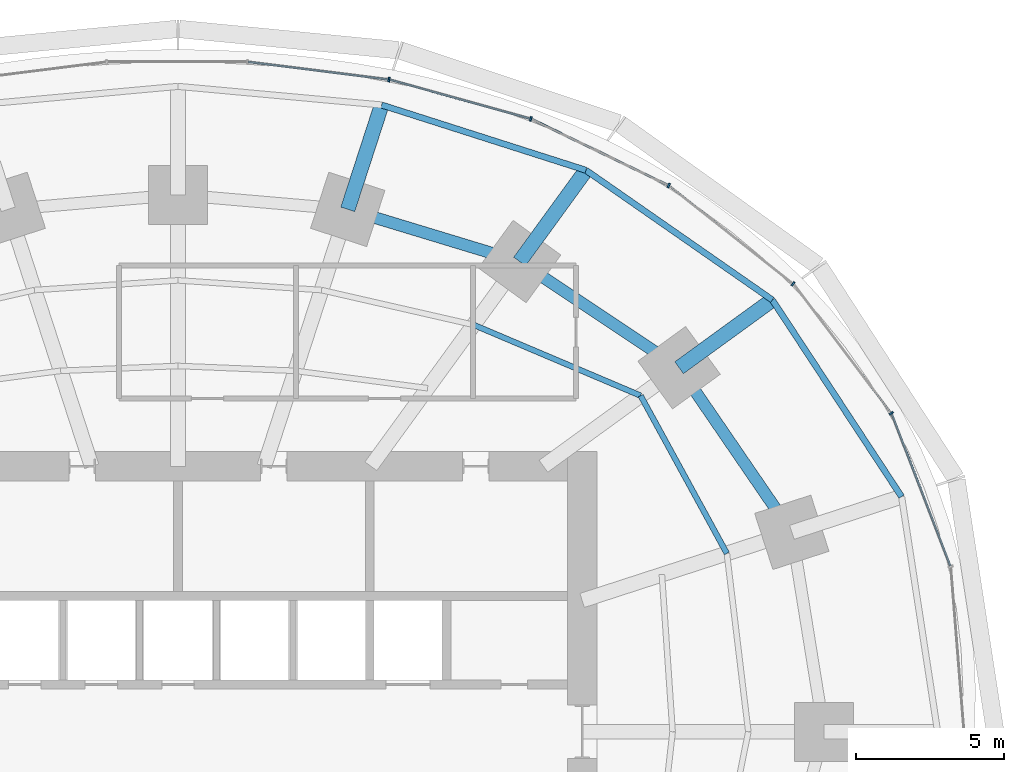
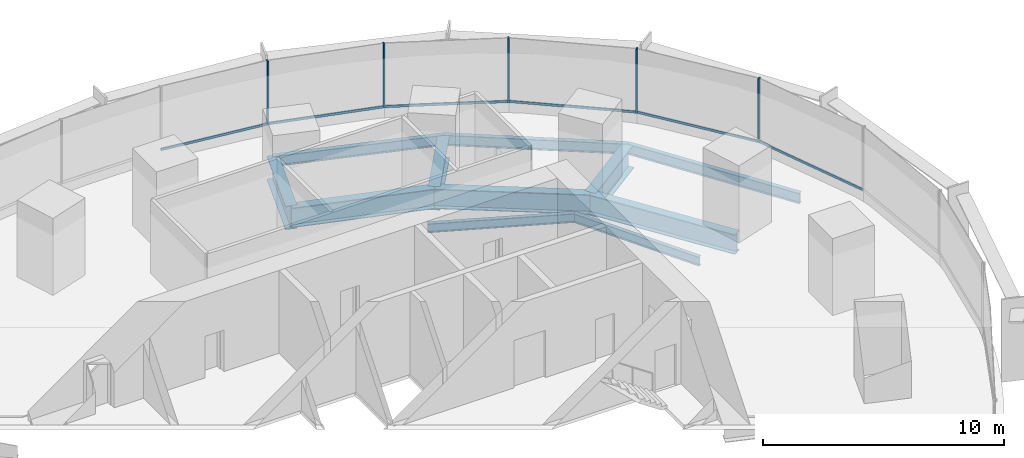
# One storey, part 9 of 15: 11 beams, 11 members, 2 elements without a shape of their own.
"""IFC4 building model written with IfcOpenShell, lengths in metres."""

from ifc_helpers import new_model, si_unit, direction, frame, origin, origin_2d, place, context, subcontext, project, spatial, rectangle, i_section, extrude, material, material_profile, profile_set, type_object, element, aggregate, save


model = new_model("IFC4")

# Units and contexts
model_context = context("Model", 3, precision=1e-05, world=origin(), true_north=direction((0.0, 1.0)))
body_context = subcontext(model_context, "Body", "Model", "MODEL_VIEW")
ifc_project = project(units=[si_unit("LENGTHUNIT", "METRE"), si_unit("AREAUNIT", "SQUARE_METRE"), si_unit("VOLUMEUNIT", "CUBIC_METRE"), si_unit("PLANEANGLEUNIT", "RADIAN"), si_unit("MASSUNIT", "GRAM", prefix="KILO")], contexts=[model_context])

# Site, building, storey
site_placement = place(None, origin())
site = spatial("IfcSite", under=ifc_project, at=site_placement, CompositionType="ELEMENT")
building_placement = place(site_placement, origin())
building = spatial("IfcBuilding", under=site, at=building_placement, Name="Marramba Exchange Tower", CompositionType="ELEMENT")
storey_placement = place(building_placement, frame((0.0, 0.0, 61.60009765625)))
storey = spatial("IfcBuildingStorey", under=building, at=storey_placement, Name="L14", CompositionType="ELEMENT", Elevation=61.60009765625)

# Beams
ifc_material_1 = material(Name="Steel AS/NZS 3679.2 grade 300", Category="steel")
ifc_material_profile_1 = material_profile(ifc_material_1, i_section(OverallWidth=0.5, OverallDepth=1.199951171875, WebThickness=0.01611328125, FlangeThickness=0.0400390625, at=origin_2d()), Name="1200WB455")
ifc_profile_set_1 = profile_set([ifc_material_profile_1], Name="Steel AS/NZS 3679.2 grade 300")
beam_type_1 = type_object("IfcBeamType", Name="Cantilever girder 1200WB455", PredefinedType="BEAM", material=ifc_profile_set_1)
beam_1_placement = place(storey_placement, frame((16.98583984375, 12.3408203125, -0.760009765625), z_axis=(0.808987260856, 0.587826174793, 0.0), x_axis=(-0.587826174793, 0.808987260856, 0.0)))
element("IfcBeam", 1, at=beam_1_placement, inside=storey, type_object=beam_type_1, Name="Cantilever girder L14 TC03", PredefinedType="BEAM", context=body_context, shape_type="SweptSolid", body=[
    extrude(i_section(OverallWidth=0.5, OverallDepth=1.199951171875, WebThickness=0.01611328125, FlangeThickness=0.0400390625, at=origin_2d()), origin(), (0.0, 0.0, 1.0), 3.90771484375),
])
beam_2_placement = place(storey_placement, frame((11.581298828125, 15.9404296875, -0.760009765625), z_axis=(0.587795827483, 0.809009310944, 0.0), x_axis=(-0.809009310944, 0.587795827483, 0.0)))
element("IfcBeam", 2, at=beam_2_placement, inside=storey, type_object=beam_type_1, Name="Cantilever girder L14 TC04", PredefinedType="BEAM", context=body_context, shape_type="SweptSolid", body=[
    extrude(i_section(OverallWidth=0.5, OverallDepth=1.199951171875, WebThickness=0.01611328125, FlangeThickness=0.0400390625, at=origin_2d()), origin(), (0.0, 0.0, 1.0), 3.82421875),
])
beam_3_placement = place(storey_placement, frame((5.75390625, 17.70849609375, -0.760009765625), z_axis=(0.308973290646, 0.951070715387, 0.0), x_axis=(-0.951070715387, 0.308973290646, 0.0)))
element("IfcBeam", 3, at=beam_3_placement, inside=storey, type_object=beam_type_1, Name="Cantilever girder L14 TC05", PredefinedType="BEAM", context=body_context, shape_type="SweptSolid", body=[
    extrude(i_section(OverallWidth=0.5, OverallDepth=1.199951171875, WebThickness=0.01611328125, FlangeThickness=0.0400390625, at=origin_2d()), origin(), (0.0, 0.0, 1.0), 3.72021484375),
])
ifc_material_2 = material(Name="Steel AS/NZS 3679.1 grade 300", Category="steel")
ifc_material_profile_2 = material_profile(ifc_material_2, i_section(OverallWidth=0.18994140625, OverallDepth=0.4541015625, WebThickness=0.008544921875, FlangeThickness=0.0126953125, FilletRadius=0.011474609375, at=origin_2d()), Name="460UB67.1")
ifc_profile_set_2 = profile_set([ifc_material_profile_2], Name="Steel AS/NZS 3679.1 grade 300")
beam_type_2 = type_object("IfcBeamType", Name="Floor joist 460UB67.1", PredefinedType="JOIST", material=ifc_profile_set_2)
beam_4_placement = place(storey_placement, frame((18.60546875, 6.04541015625, -0.38720703125), z_axis=(-0.479584443791, 0.877495732909, 0.0), x_axis=(-0.877495732909, -0.479584443791, 0.0)))
element("IfcBeam", 4, at=beam_4_placement, inside=storey, type_object=beam_type_2, Name="Joist L14 bay 02 row 2", PredefinedType="JOIST", context=body_context, shape_type="SweptSolid", body=[
    extrude(i_section(OverallWidth=0.18994140625, OverallDepth=0.4541015625, WebThickness=0.008544921875, FlangeThickness=0.0126953125, FilletRadius=0.011474609375, at=origin_2d()), origin(), (0.0, 0.0, 1.0), 6.094970703125),
])
beam_5_placement = place(storey_placement, frame((15.682373046875, 11.393798828125, -0.38720703125), z_axis=(-0.920674336375, 0.390331610738, 0.0), x_axis=(-0.390331610738, -0.920674336375, 0.0)))
element("IfcBeam", 5, at=beam_5_placement, inside=storey, type_object=beam_type_2, Name="Joist L14 bay 03 row 2", PredefinedType="JOIST", context=body_context, shape_type="SweptSolid", body=[
    extrude(i_section(OverallWidth=0.18994140625, OverallDepth=0.4541015625, WebThickness=0.008544921875, FlangeThickness=0.0126953125, FilletRadius=0.011474609375, at=origin_2d()), origin(), (0.0, 0.0, 1.0), 6.1484375),
])
ifc_material_profile_3 = material_profile(ifc_material_1, i_section(OverallWidth=0.39990234375, OverallDepth=1.0, WebThickness=0.01611328125, FlangeThickness=0.031982421875, at=origin_2d()), Name="1000WB322")
ifc_profile_set_3 = profile_set([ifc_material_profile_3], Name="Steel AS/NZS 3679.2 grade 300")
beam_type_3 = type_object("IfcBeamType", Name="Ring beam 1000WB322", PredefinedType="SPANDREL", material=ifc_profile_set_3)
beam_6_placement = place(storey_placement, frame((20.808349609375, 6.760986328125, -0.66015625), z_axis=(-0.56516002054, 0.824981303535, 0.0), x_axis=(-0.824981303535, -0.56516002054, 0.0)))
element("IfcBeam", 6, at=beam_6_placement, inside=storey, type_object=beam_type_3, Name="Ring beam L14 TC02-TC03", PredefinedType="SPANDREL", context=body_context, shape_type="SweptSolid", body=[
    extrude(i_section(OverallWidth=0.39990234375, OverallDepth=1.0, WebThickness=0.01611328125, FlangeThickness=0.031982421875, at=origin_2d()), origin(), (0.0, 0.0, 1.0), 6.763671875),
])
beam_7_placement = place(storey_placement, frame((16.98583984375, 12.3408203125, -0.66015625), z_axis=(-0.832293151443, 0.554335737673, 0.0), x_axis=(-0.554335737673, -0.832293151443, 0.0)))
element("IfcBeam", 7, at=beam_7_placement, inside=storey, type_object=beam_type_3, Name="Ring beam L14 TC03-TC04", PredefinedType="SPANDREL", context=body_context, shape_type="SweptSolid", body=[
    extrude(i_section(OverallWidth=0.39990234375, OverallDepth=1.0, WebThickness=0.01611328125, FlangeThickness=0.031982421875, at=origin_2d()), origin(), (0.0, 0.0, 1.0), 6.49365234375),
])
beam_8_placement = place(storey_placement, frame((11.581298828125, 15.9404296875, -0.66015625), z_axis=(-0.956924542524, 0.290336735387, 0.0), x_axis=(-0.290336735387, -0.956924542524, 0.0)))
element("IfcBeam", 8, at=beam_8_placement, inside=storey, type_object=beam_type_3, Name="Ring beam L14 TC04-TC05", PredefinedType="SPANDREL", context=body_context, shape_type="SweptSolid", body=[
    extrude(i_section(OverallWidth=0.39990234375, OverallDepth=1.0, WebThickness=0.01611328125, FlangeThickness=0.031982421875, at=origin_2d()), origin(), (0.0, 0.0, 1.0), 6.089599609375),
])
ifc_material_profile_4 = material_profile(ifc_material_2, i_section(OverallWidth=0.208984375, OverallDepth=0.528076171875, WebThickness=0.009521484375, FlangeThickness=0.01318359375, FilletRadius=0.013916015625, at=origin_2d()), Name="530UB82.0")
ifc_profile_set_4 = profile_set([ifc_material_profile_4], Name="Steel AS/NZS 3679.1 grade 300")
beam_type_4 = type_object("IfcBeamType", Name="Slab edge beam 530UB82.0", PredefinedType="SPANDREL", material=ifc_profile_set_4)
beam_9_placement = place(storey_placement, frame((24.528564453125, 7.9697265625, -0.424072265625), z_axis=(-0.549123544095, 0.835741188001, 0.0), x_axis=(-0.835741188001, -0.549123544095, 0.0)))
element("IfcBeam", 9, at=beam_9_placement, inside=storey, type_object=beam_type_4, Name="Slab edge beam L14 TC02-TC03", PredefinedType="SPANDREL", context=body_context, shape_type="SweptSolid", body=[
    extrude(i_section(OverallWidth=0.208984375, OverallDepth=0.528076171875, WebThickness=0.009521484375, FlangeThickness=0.01318359375, FilletRadius=0.013916015625, at=origin_2d()), origin(), (0.0, 0.0, 1.0), 7.978759765625),
])
beam_10_placement = place(storey_placement, frame((20.147216796875, 14.637939453125, -0.424072265625), z_axis=(-0.820842487183, 0.571154629882, 0.0), x_axis=(-0.571154629882, -0.820842487183, 0.0)))
element("IfcBeam", 10, at=beam_10_placement, inside=storey, type_object=beam_type_4, Name="Slab edge beam L14 TC03-TC04", PredefinedType="SPANDREL", context=body_context, shape_type="SweptSolid", body=[
    extrude(i_section(OverallWidth=0.208984375, OverallDepth=0.528076171875, WebThickness=0.009521484375, FlangeThickness=0.01318359375, FilletRadius=0.013916015625, at=origin_2d()), origin(), (0.0, 0.0, 1.0), 7.697021484375),
])
beam_11_placement = place(storey_placement, frame((13.8291015625, 19.0341796875, -0.424072265625), z_axis=(-0.952577642997, 0.304295635957, 0.0), x_axis=(-0.304295635957, -0.952577642997, 0.0)))
element("IfcBeam", 11, at=beam_11_placement, inside=storey, type_object=beam_type_4, Name="Slab edge beam L14 TC04-TC05", PredefinedType="SPANDREL", context=body_context, shape_type="SweptSolid", body=[
    extrude(i_section(OverallWidth=0.208984375, OverallDepth=0.528076171875, WebThickness=0.009521484375, FlangeThickness=0.01318359375, FilletRadius=0.013916015625, at=origin_2d()), origin(), (0.0, 0.0, 1.0), 7.2705078125),
])

# Curtain wall, members
ifc_material_3 = material(Name="Aluminium framing, bronze anodised", Category="aluminium")
curtain_wall_type = type_object("IfcCurtainWallType", Name="Trading floor ribbon curtain wall", PredefinedType="USERDEFINED", material=ifc_material_3)
curtain_wall_1_placement = place(storey_placement, origin())
curtain_wall_1 = element("IfcCurtainWall", 12, at=curtain_wall_1_placement, inside=storey, type_object=curtain_wall_type, Name="Curtain wall CW3 L14 F01-F05", ObjectType="RIBBON CURTAIN WALL", PredefinedType="USERDEFINED")
ifc_material_4 = material(Name="Aluminium mullion, bronze anodised", Category="aluminium")
ifc_material_profile_5 = material_profile(ifc_material_4, rectangle(XDim=0.159912109375, YDim=0.06005859375, at=origin_2d()), Name="CW3 mullion 60x160")
ifc_profile_set_5 = profile_set([ifc_material_profile_5], Name="Aluminium mullion, bronze anodised")
member_type_1 = type_object("IfcMemberType", Name="Trading floor ribbon curtain wall mullion", PredefinedType="MULLION", material=ifc_profile_set_5)
member_1_placement = place(storey_placement, frame((24.178466796875, 10.796875, 0.7998046875), z_axis=(0.0, 0.0, 1.0), x_axis=(-0.797748922445, -0.602989765036, 0.0)))
member_1 = element("IfcMember", 13, at=member_1_placement, type_object=member_type_1, Name="CW3 mullion 1", PredefinedType="MULLION", context=body_context, shape_type="SweptSolid", body=[
    extrude(rectangle(XDim=0.159912109375, YDim=0.06005859375, at=origin_2d()), origin(), (0.0, 0.0, 1.0), 3.239990234375),
])
member_2_placement = place(storey_placement, frame((20.851806640625, 15.185546875, 0.7998046875), z_axis=(0.0, 0.0, 1.0), x_axis=(-0.620649730166, -0.784087949432, 0.0)))
member_2 = element("IfcMember", 14, at=member_2_placement, type_object=member_type_1, Name="CW3 mullion 1", PredefinedType="MULLION", context=body_context, shape_type="SweptSolid", body=[
    extrude(rectangle(XDim=0.159912109375, YDim=0.06005859375, at=origin_2d()), origin(), (0.0, 0.0, 1.0), 3.239990234375),
])
member_3_placement = place(storey_placement, frame((16.63330078125, 18.516357421875, 0.7998046875), z_axis=(0.0, 0.0, 1.0), x_axis=(-0.43596538664, -0.899963433508, 0.0)))
member_3 = element("IfcMember", 15, at=member_3_placement, type_object=member_type_1, Name="CW3 mullion 1", PredefinedType="MULLION", context=body_context, shape_type="SweptSolid", body=[
    extrude(rectangle(XDim=0.159912109375, YDim=0.06005859375, at=origin_2d()), origin(), (0.0, 0.0, 1.0), 3.239990234375),
])

curtain_wall_2_placement = place(storey_placement, origin())
curtain_wall_2 = element("IfcCurtainWall", 16, at=curtain_wall_2_placement, inside=storey, type_object=curtain_wall_type, Name="Curtain wall CW3 L14 F06-F10", ObjectType="RIBBON CURTAIN WALL", PredefinedType="USERDEFINED")
member_4_placement = place(storey_placement, frame((11.96044921875, 20.774169921875, 0.7998046875), z_axis=(0.0, 0.0, 1.0), x_axis=(-0.267808735815, -0.963472096649, 0.0)))
member_4 = element("IfcMember", 17, at=member_4_placement, type_object=member_type_1, Name="CW3 mullion 1", PredefinedType="MULLION", context=body_context, shape_type="SweptSolid", body=[
    extrude(rectangle(XDim=0.159912109375, YDim=0.06005859375, at=origin_2d()), origin(), (0.0, 0.0, 1.0), 3.239990234375),
])
member_5_placement = place(storey_placement, frame((7.15185546875, 22.106201171875, 0.7998046875), z_axis=(0.0, 0.0, 1.0), x_axis=(-0.124872723099, -0.992172768738, 0.0)))
member_5 = element("IfcMember", 18, at=member_5_placement, type_object=member_type_1, Name="CW3 mullion 1", PredefinedType="MULLION", context=body_context, shape_type="SweptSolid", body=[
    extrude(rectangle(XDim=0.159912109375, YDim=0.06005859375, at=origin_2d()), origin(), (0.0, 0.0, 1.0), 3.239990234375),
])

# Member
ifc_material_5 = material(Name="Aluminium transom, bronze anodised", Category="aluminium")
ifc_material_profile_6 = material_profile(ifc_material_5, rectangle(XDim=0.06005859375, YDim=0.1201171875, at=origin_2d()), Name="CW3 transom 60x120")
ifc_profile_set_6 = profile_set([ifc_material_profile_6], Name="Aluminium transom, bronze anodised")
member_type_2 = type_object("IfcMemberType", Name="Trading floor ribbon curtain wall transom", PredefinedType="USERDEFINED", material=ifc_profile_set_6)
member_6_placement = place(storey_placement, frame((26.179931640625, 5.625244140625, 0.829833984375), z_axis=(-0.359533581349, 0.933132147063, 0.0), x_axis=(-0.933132147063, -0.359533581349, 0.0)))
member_6 = element("IfcMember", 19, at=member_6_placement, type_object=member_type_2, Name="CW3 sill transom", ObjectType="TRANSOM", PredefinedType="USERDEFINED", context=body_context, shape_type="SweptSolid", body=[
    extrude(rectangle(XDim=0.06005859375, YDim=0.1201171875, at=origin_2d()), origin(), (0.0, 0.0, 1.0), 5.5166015625),
])

member_7_placement = place(storey_placement, frame((24.160400390625, 10.82080078125, 0.829833984375), z_axis=(-0.602985866158, 0.797751869452, 0.0), x_axis=(-0.797751869452, -0.602985866158, 0.0)))
member_7 = element("IfcMember", 20, at=member_7_placement, type_object=member_type_2, Name="CW3 sill transom", ObjectType="TRANSOM", PredefinedType="USERDEFINED", context=body_context, shape_type="SweptSolid", body=[
    extrude(rectangle(XDim=0.06005859375, YDim=0.1201171875, at=origin_2d()), origin(), (0.0, 0.0, 1.0), 5.44775390625),
])

member_8_placement = place(storey_placement, frame((20.828369140625, 15.2041015625, 0.829833984375), z_axis=(-0.784097975735, 0.620637063385, 0.0), x_axis=(-0.620637063385, -0.784097975735, 0.0)))
member_8 = element("IfcMember", 21, at=member_8_placement, type_object=member_type_2, Name="CW3 sill transom", ObjectType="TRANSOM", PredefinedType="USERDEFINED", context=body_context, shape_type="SweptSolid", body=[
    extrude(rectangle(XDim=0.06005859375, YDim=0.1201171875, at=origin_2d()), origin(), (0.0, 0.0, 1.0), 5.315673828125),
])

member_9_placement = place(storey_placement, frame((16.6064453125, 18.529296875, 0.829833984375), z_axis=(-0.89995331781, 0.43598626786, 0.0), x_axis=(-0.43598626786, -0.89995331781, 0.0)))
member_9 = element("IfcMember", 22, at=member_9_placement, type_object=member_type_2, Name="CW3 sill transom", ObjectType="TRANSOM", PredefinedType="USERDEFINED", context=body_context, shape_type="SweptSolid", body=[
    extrude(rectangle(XDim=0.06005859375, YDim=0.1201171875, at=origin_2d()), origin(), (0.0, 0.0, 1.0), 5.13037109375),
])

aggregate(curtain_wall_1, [member_6, member_1, member_7, member_2, member_8, member_3, member_9])

member_10_placement = place(storey_placement, frame((11.931396484375, 20.7822265625, 0.829833984375), z_axis=(-0.963468938163, 0.267820098565, 0.0), x_axis=(-0.267820098565, -0.963468938163, 0.0)))
member_10 = element("IfcMember", 23, at=member_10_placement, type_object=member_type_2, Name="CW3 sill transom", ObjectType="TRANSOM", PredefinedType="USERDEFINED", context=body_context, shape_type="SweptSolid", body=[
    extrude(rectangle(XDim=0.06005859375, YDim=0.1201171875, at=origin_2d()), origin(), (0.0, 0.0, 1.0), 4.929931640625),
])

member_11_placement = place(storey_placement, frame((7.1220703125, 22.10986328125, 0.829833984375), z_axis=(-0.99216810728, 0.124909755012, 0.0), x_axis=(-0.124909755012, -0.99216810728, 0.0)))
member_11 = element("IfcMember", 24, at=member_11_placement, type_object=member_type_2, Name="CW3 sill transom", ObjectType="TRANSOM", PredefinedType="USERDEFINED", context=body_context, shape_type="SweptSolid", body=[
    extrude(rectangle(XDim=0.06005859375, YDim=0.1201171875, at=origin_2d()), origin(), (0.0, 0.0, 1.0), 4.77294921875),
])

aggregate(curtain_wall_2, [member_4, member_10, member_5, member_11])

save(model, "model.ifc")
